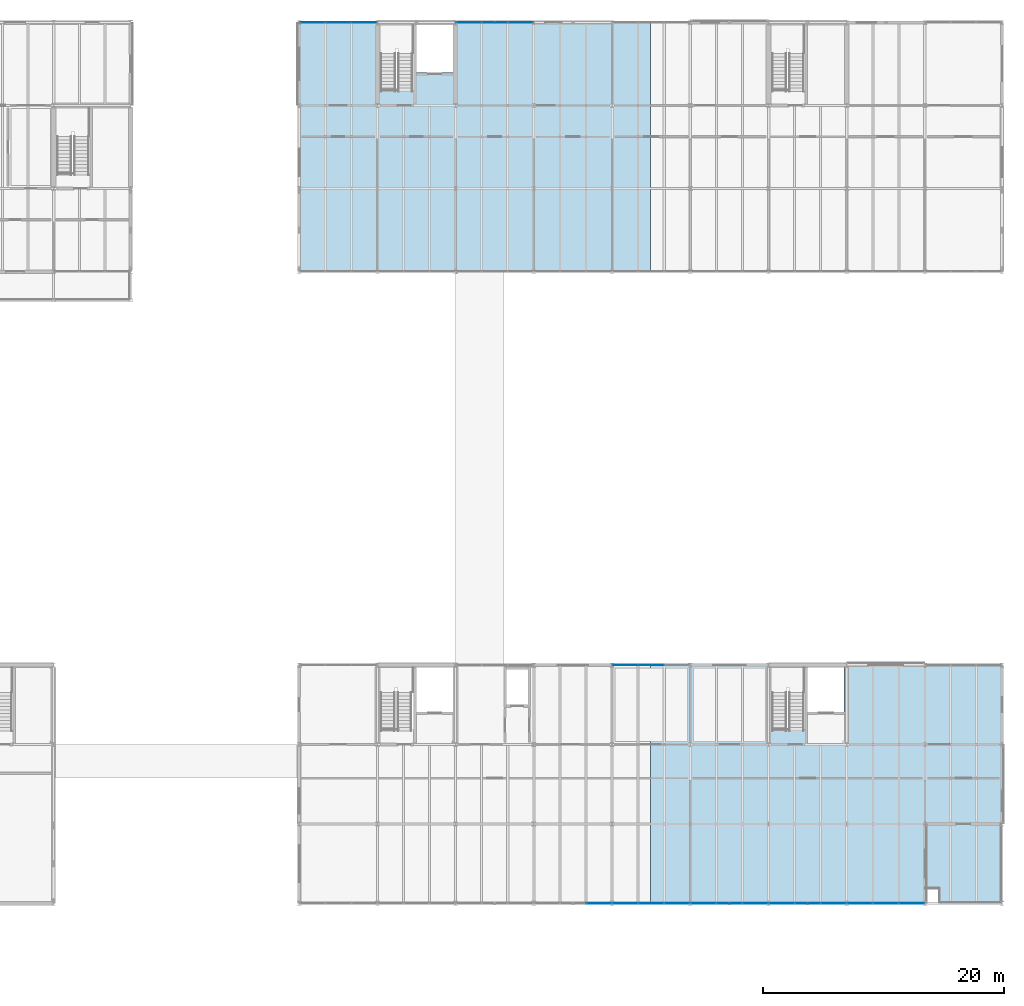
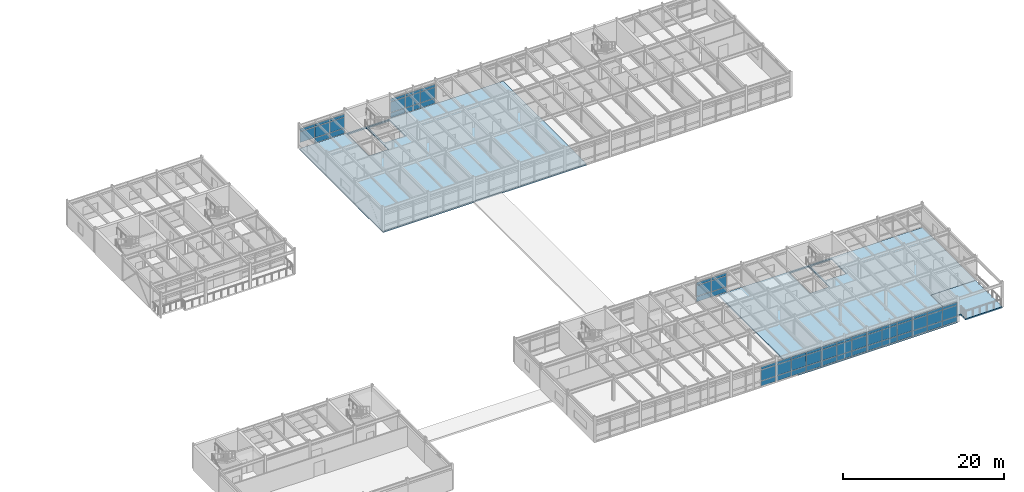
# One storey, part 31 of 49: 62 plates, 3 slabs, 8 elements without a shape of their own.
"""IFC4 building model written with IfcOpenShell, lengths in metres."""

from ifc_helpers import new_model, si_unit, direction, frame, origin, origin_2d, place, context, subcontext, project, spatial, polyline, rectangle, outline, extrude, material, layer, layer_set, type_object, element, aggregate, save


model = new_model("IFC4")

# Units and contexts
model_context = context("Model", 3, precision=1e-05, world=origin(), true_north=direction((0.0, 1.0)))
body_context = subcontext(model_context, "Body", "Model", "MODEL_VIEW")
ifc_project = project(units=[si_unit("LENGTHUNIT", "METRE"), si_unit("AREAUNIT", "SQUARE_METRE"), si_unit("VOLUMEUNIT", "CUBIC_METRE"), si_unit("PLANEANGLEUNIT", "RADIAN"), si_unit("MASSUNIT", "GRAM", prefix="KILO")], contexts=[model_context])

# Site, building, storey
site_placement = place(None, origin())
site = spatial("IfcSite", under=ifc_project, at=site_placement, CompositionType="ELEMENT")
building_placement = place(site_placement, origin())
building = spatial("IfcBuilding", under=site, at=building_placement, Name="Trelmorton Wharf Fire Station", CompositionType="ELEMENT")
storey_placement = place(building_placement, frame((0.0, 0.0, 9.60009765625)))
storey = spatial("IfcBuildingStorey", under=building, at=storey_placement, Name="L02", CompositionType="ELEMENT", Elevation=9.60009765625)

# Curtain wall, plates
ifc_material_1 = material(Name="Anodised aluminium AW-6063", Category="aluminium")
ifc_layer_1 = layer(ifc_material_1, 0.175048828125)
ifc_layer_set_1 = layer_set([ifc_layer_1], Name="Anodised aluminium AW-6063")
curtain_wall_type_1 = type_object("IfcCurtainWallType", Name="CW_CHIC_B", PredefinedType="USERDEFINED", material=ifc_layer_set_1)
curtain_wall_1_placement = place(storey_placement, origin())
curtain_wall_1 = element("IfcCurtainWall", 1, at=curtain_wall_1_placement, inside=storey, type_object=curtain_wall_type_1, Name="CW-V5-L02-052", ObjectType="CHICAGO BAY CURTAIN WALL", PredefinedType="USERDEFINED")
ifc_material_2 = material(Name="Tempered low-E double glazing", Category="glass")
ifc_layer_2 = layer(ifc_material_2, 0.028076171875)
ifc_layer_set_2 = layer_set([ifc_layer_2], Name="Tempered low-E double glazing")
plate_type_1 = type_object("IfcPlateType", Name="CWP_GLAZ_28", PredefinedType="CURTAIN_PANEL", material=ifc_layer_set_2)
plate_1_placement = place(storey_placement, frame((128.8984375, 7.800048828125, 0.06005859375), z_axis=(0.0, 0.0, 1.0), x_axis=(-1.0, 0.0, 0.0)))
plate_1 = element("IfcPlate", 2, at=plate_1_placement, type_object=plate_type_1, Name="CW2 panel 1.1", PredefinedType="CURTAIN_PANEL", context=body_context, shape_type="SweptSolid", body=[
    extrude(rectangle(XDim=2.0732421875, YDim=0.028076171875, at=origin_2d()), origin(), (0.0, 0.0, 1.0), 0.760009765625),
])
plate_2_placement = place(storey_placement, frame((128.8984375, 7.800048828125, 0.8798828125), z_axis=(0.0, 0.0, 1.0), x_axis=(-1.0, 0.0, 0.0)))
plate_2 = element("IfcPlate", 3, at=plate_2_placement, type_object=plate_type_1, Name="CW2 panel 1.2", PredefinedType="CURTAIN_PANEL", context=body_context, shape_type="SweptSolid", body=[
    extrude(rectangle(XDim=2.0732421875, YDim=0.028076171875, at=origin_2d()), origin(), (0.0, 0.0, 1.0), 1.610107421875),
])
plate_3_placement = place(storey_placement, frame((128.8984375, 7.800048828125, 2.5498046875), z_axis=(0.0, 0.0, 1.0), x_axis=(-1.0, 0.0, 0.0)))
plate_3 = element("IfcPlate", 4, at=plate_3_placement, type_object=plate_type_1, Name="CW2 panel 1.3", PredefinedType="CURTAIN_PANEL", context=body_context, shape_type="SweptSolid", body=[
    extrude(rectangle(XDim=2.0732421875, YDim=0.028076171875, at=origin_2d()), origin(), (0.0, 0.0, 1.0), 0.409912109375),
])
aggregate(curtain_wall_1, [plate_1, plate_2, plate_3])

ifc_layer_3 = layer(ifc_material_1, 0.159912109375)
ifc_layer_set_3 = layer_set([ifc_layer_3], Name="Anodised aluminium AW-6063")
curtain_wall_type_2 = type_object("IfcCurtainWallType", Name="CW_CHIC_A", PredefinedType="USERDEFINED", material=ifc_layer_set_3)
curtain_wall_2_placement = place(storey_placement, origin())
curtain_wall_2 = element("IfcCurtainWall", 5, at=curtain_wall_2_placement, inside=storey, type_object=curtain_wall_type_2, Name="CW-V5-L02-053", ObjectType="CHICAGO BAY CURTAIN WALL", PredefinedType="USERDEFINED")
plate_4_placement = place(storey_placement, frame((135.3984375, 7.800048828125, 0.06005859375), z_axis=(0.0, 0.0, 1.0), x_axis=(-1.0, 0.0, 0.0)))
plate_4 = element("IfcPlate", 6, at=plate_4_placement, type_object=plate_type_1, Name="CW1 panel 1.1", PredefinedType="CURTAIN_PANEL", context=body_context, shape_type="SweptSolid", body=[
    extrude(rectangle(XDim=2.0732421875, YDim=0.028076171875, at=origin_2d()), origin(), (0.0, 0.0, 1.0), 0.760009765625),
])
plate_5_placement = place(storey_placement, frame((135.3984375, 7.800048828125, 0.8798828125), z_axis=(0.0, 0.0, 1.0), x_axis=(-1.0, 0.0, 0.0)))
plate_5 = element("IfcPlate", 7, at=plate_5_placement, type_object=plate_type_1, Name="CW1 panel 1.2", PredefinedType="CURTAIN_PANEL", context=body_context, shape_type="SweptSolid", body=[
    extrude(rectangle(XDim=2.0732421875, YDim=0.028076171875, at=origin_2d()), origin(), (0.0, 0.0, 1.0), 1.610107421875),
])
plate_6_placement = place(storey_placement, frame((135.3984375, 7.800048828125, 2.5498046875), z_axis=(0.0, 0.0, 1.0), x_axis=(-1.0, 0.0, 0.0)))
plate_6 = element("IfcPlate", 8, at=plate_6_placement, type_object=plate_type_1, Name="CW1 panel 1.3", PredefinedType="CURTAIN_PANEL", context=body_context, shape_type="SweptSolid", body=[
    extrude(rectangle(XDim=2.0732421875, YDim=0.028076171875, at=origin_2d()), origin(), (0.0, 0.0, 1.0), 0.409912109375),
])
plate_7_placement = place(storey_placement, frame((133.25, 7.800048828125, 0.06005859375), z_axis=(0.0, 0.0, 1.0), x_axis=(-1.0, 0.0, 0.0)))
plate_7 = element("IfcPlate", 9, at=plate_7_placement, type_object=plate_type_1, Name="CW1 panel 2.1", PredefinedType="CURTAIN_PANEL", context=body_context, shape_type="SweptSolid", body=[
    extrude(rectangle(XDim=2.103271484375, YDim=0.028076171875, at=origin_2d()), origin(), (0.0, 0.0, 1.0), 0.760009765625),
])
plate_8_placement = place(storey_placement, frame((133.25, 7.800048828125, 0.8798828125), z_axis=(0.0, 0.0, 1.0), x_axis=(-1.0, 0.0, 0.0)))
plate_8 = element("IfcPlate", 10, at=plate_8_placement, type_object=plate_type_1, Name="CW1 panel 2.2", PredefinedType="CURTAIN_PANEL", context=body_context, shape_type="SweptSolid", body=[
    extrude(rectangle(XDim=2.103271484375, YDim=0.028076171875, at=origin_2d()), origin(), (0.0, 0.0, 1.0), 1.610107421875),
])
plate_9_placement = place(storey_placement, frame((133.25, 7.800048828125, 2.5498046875), z_axis=(0.0, 0.0, 1.0), x_axis=(-1.0, 0.0, 0.0)))
plate_9 = element("IfcPlate", 11, at=plate_9_placement, type_object=plate_type_1, Name="CW1 panel 2.3", PredefinedType="CURTAIN_PANEL", context=body_context, shape_type="SweptSolid", body=[
    extrude(rectangle(XDim=2.103271484375, YDim=0.028076171875, at=origin_2d()), origin(), (0.0, 0.0, 1.0), 0.409912109375),
])
plate_10_placement = place(storey_placement, frame((131.1015625, 7.800048828125, 0.06005859375), z_axis=(0.0, 0.0, 1.0), x_axis=(-1.0, 0.0, 0.0)))
plate_10 = element("IfcPlate", 12, at=plate_10_placement, type_object=plate_type_1, Name="CW1 panel 3.1", PredefinedType="CURTAIN_PANEL", context=body_context, shape_type="SweptSolid", body=[
    extrude(rectangle(XDim=2.0732421875, YDim=0.028076171875, at=origin_2d()), origin(), (0.0, 0.0, 1.0), 0.760009765625),
])
plate_11_placement = place(storey_placement, frame((131.1015625, 7.800048828125, 0.8798828125), z_axis=(0.0, 0.0, 1.0), x_axis=(-1.0, 0.0, 0.0)))
plate_11 = element("IfcPlate", 13, at=plate_11_placement, type_object=plate_type_1, Name="CW1 panel 3.2", PredefinedType="CURTAIN_PANEL", context=body_context, shape_type="SweptSolid", body=[
    extrude(rectangle(XDim=2.0732421875, YDim=0.028076171875, at=origin_2d()), origin(), (0.0, 0.0, 1.0), 1.610107421875),
])
plate_12_placement = place(storey_placement, frame((131.1015625, 7.800048828125, 2.5498046875), z_axis=(0.0, 0.0, 1.0), x_axis=(-1.0, 0.0, 0.0)))
plate_12 = element("IfcPlate", 14, at=plate_12_placement, type_object=plate_type_1, Name="CW1 panel 3.3", PredefinedType="CURTAIN_PANEL", context=body_context, shape_type="SweptSolid", body=[
    extrude(rectangle(XDim=2.0732421875, YDim=0.028076171875, at=origin_2d()), origin(), (0.0, 0.0, 1.0), 0.409912109375),
])
aggregate(curtain_wall_2, [plate_4, plate_5, plate_6, plate_7, plate_8, plate_9, plate_10, plate_11, plate_12])

curtain_wall_3_placement = place(storey_placement, origin())
curtain_wall_3 = element("IfcCurtainWall", 15, at=curtain_wall_3_placement, inside=storey, type_object=curtain_wall_type_2, Name="CW-V5-L02-055", ObjectType="CHICAGO BAY CURTAIN WALL", PredefinedType="USERDEFINED")
plate_13_placement = place(storey_placement, frame((148.3984375, 7.800048828125, 0.06005859375), z_axis=(0.0, 0.0, 1.0), x_axis=(-1.0, 0.0, 0.0)))
plate_13 = element("IfcPlate", 16, at=plate_13_placement, type_object=plate_type_1, Name="CW1 panel 1.1", PredefinedType="CURTAIN_PANEL", context=body_context, shape_type="SweptSolid", body=[
    extrude(rectangle(XDim=2.0732421875, YDim=0.028076171875, at=origin_2d()), origin(), (0.0, 0.0, 1.0), 0.760009765625),
])
plate_14_placement = place(storey_placement, frame((148.3984375, 7.800048828125, 0.8798828125), z_axis=(0.0, 0.0, 1.0), x_axis=(-1.0, 0.0, 0.0)))
plate_14 = element("IfcPlate", 17, at=plate_14_placement, type_object=plate_type_1, Name="CW1 panel 1.2", PredefinedType="CURTAIN_PANEL", context=body_context, shape_type="SweptSolid", body=[
    extrude(rectangle(XDim=2.0732421875, YDim=0.028076171875, at=origin_2d()), origin(), (0.0, 0.0, 1.0), 1.610107421875),
])
plate_15_placement = place(storey_placement, frame((148.3984375, 7.800048828125, 2.5498046875), z_axis=(0.0, 0.0, 1.0), x_axis=(-1.0, 0.0, 0.0)))
plate_15 = element("IfcPlate", 18, at=plate_15_placement, type_object=plate_type_1, Name="CW1 panel 1.3", PredefinedType="CURTAIN_PANEL", context=body_context, shape_type="SweptSolid", body=[
    extrude(rectangle(XDim=2.0732421875, YDim=0.028076171875, at=origin_2d()), origin(), (0.0, 0.0, 1.0), 0.409912109375),
])
plate_16_placement = place(storey_placement, frame((146.25, 7.800048828125, 0.06005859375), z_axis=(0.0, 0.0, 1.0), x_axis=(-1.0, 0.0, 0.0)))
plate_16 = element("IfcPlate", 19, at=plate_16_placement, type_object=plate_type_1, Name="CW1 panel 2.1", PredefinedType="CURTAIN_PANEL", context=body_context, shape_type="SweptSolid", body=[
    extrude(rectangle(XDim=2.103271484375, YDim=0.028076171875, at=origin_2d()), origin(), (0.0, 0.0, 1.0), 0.760009765625),
])
plate_17_placement = place(storey_placement, frame((146.25, 7.800048828125, 0.8798828125), z_axis=(0.0, 0.0, 1.0), x_axis=(-1.0, 0.0, 0.0)))
plate_17 = element("IfcPlate", 20, at=plate_17_placement, type_object=plate_type_1, Name="CW1 panel 2.2", PredefinedType="CURTAIN_PANEL", context=body_context, shape_type="SweptSolid", body=[
    extrude(rectangle(XDim=2.103271484375, YDim=0.028076171875, at=origin_2d()), origin(), (0.0, 0.0, 1.0), 1.610107421875),
])
plate_18_placement = place(storey_placement, frame((146.25, 7.800048828125, 2.5498046875), z_axis=(0.0, 0.0, 1.0), x_axis=(-1.0, 0.0, 0.0)))
plate_18 = element("IfcPlate", 21, at=plate_18_placement, type_object=plate_type_1, Name="CW1 panel 2.3", PredefinedType="CURTAIN_PANEL", context=body_context, shape_type="SweptSolid", body=[
    extrude(rectangle(XDim=2.103271484375, YDim=0.028076171875, at=origin_2d()), origin(), (0.0, 0.0, 1.0), 0.409912109375),
])
plate_19_placement = place(storey_placement, frame((144.1015625, 7.800048828125, 0.06005859375), z_axis=(0.0, 0.0, 1.0), x_axis=(-1.0, 0.0, 0.0)))
plate_19 = element("IfcPlate", 22, at=plate_19_placement, type_object=plate_type_1, Name="CW1 panel 3.1", PredefinedType="CURTAIN_PANEL", context=body_context, shape_type="SweptSolid", body=[
    extrude(rectangle(XDim=2.0732421875, YDim=0.028076171875, at=origin_2d()), origin(), (0.0, 0.0, 1.0), 0.760009765625),
])
plate_20_placement = place(storey_placement, frame((144.1015625, 7.800048828125, 0.8798828125), z_axis=(0.0, 0.0, 1.0), x_axis=(-1.0, 0.0, 0.0)))
plate_20 = element("IfcPlate", 23, at=plate_20_placement, type_object=plate_type_1, Name="CW1 panel 3.2", PredefinedType="CURTAIN_PANEL", context=body_context, shape_type="SweptSolid", body=[
    extrude(rectangle(XDim=2.0732421875, YDim=0.028076171875, at=origin_2d()), origin(), (0.0, 0.0, 1.0), 1.610107421875),
])
plate_21_placement = place(storey_placement, frame((144.1015625, 7.800048828125, 2.5498046875), z_axis=(0.0, 0.0, 1.0), x_axis=(-1.0, 0.0, 0.0)))
plate_21 = element("IfcPlate", 24, at=plate_21_placement, type_object=plate_type_1, Name="CW1 panel 3.3", PredefinedType="CURTAIN_PANEL", context=body_context, shape_type="SweptSolid", body=[
    extrude(rectangle(XDim=2.0732421875, YDim=0.028076171875, at=origin_2d()), origin(), (0.0, 0.0, 1.0), 0.409912109375),
])
aggregate(curtain_wall_3, [plate_13, plate_14, plate_15, plate_16, plate_17, plate_18, plate_19, plate_20, plate_21])

curtain_wall_4_placement = place(storey_placement, origin())
curtain_wall_4 = element("IfcCurtainWall", 25, at=curtain_wall_4_placement, inside=storey, type_object=curtain_wall_type_1, Name="CW-V5-L02-056", ObjectType="CHICAGO BAY CURTAIN WALL", PredefinedType="USERDEFINED")
plate_22_placement = place(storey_placement, frame((154.8984375, 7.800048828125, 0.06005859375), z_axis=(0.0, 0.0, 1.0), x_axis=(-1.0, 0.0, 0.0)))
plate_22 = element("IfcPlate", 26, at=plate_22_placement, type_object=plate_type_1, Name="CW2 panel 1.1", PredefinedType="CURTAIN_PANEL", context=body_context, shape_type="SweptSolid", body=[
    extrude(rectangle(XDim=2.0732421875, YDim=0.028076171875, at=origin_2d()), origin(), (0.0, 0.0, 1.0), 0.760009765625),
])
plate_23_placement = place(storey_placement, frame((154.8984375, 7.800048828125, 0.8798828125), z_axis=(0.0, 0.0, 1.0), x_axis=(-1.0, 0.0, 0.0)))
plate_23 = element("IfcPlate", 27, at=plate_23_placement, type_object=plate_type_1, Name="CW2 panel 1.2", PredefinedType="CURTAIN_PANEL", context=body_context, shape_type="SweptSolid", body=[
    extrude(rectangle(XDim=2.0732421875, YDim=0.028076171875, at=origin_2d()), origin(), (0.0, 0.0, 1.0), 1.610107421875),
])
plate_24_placement = place(storey_placement, frame((154.8984375, 7.800048828125, 2.5498046875), z_axis=(0.0, 0.0, 1.0), x_axis=(-1.0, 0.0, 0.0)))
plate_24 = element("IfcPlate", 28, at=plate_24_placement, type_object=plate_type_1, Name="CW2 panel 1.3", PredefinedType="CURTAIN_PANEL", context=body_context, shape_type="SweptSolid", body=[
    extrude(rectangle(XDim=2.0732421875, YDim=0.028076171875, at=origin_2d()), origin(), (0.0, 0.0, 1.0), 0.409912109375),
])
plate_25_placement = place(storey_placement, frame((152.75, 7.800048828125, 0.06005859375), z_axis=(0.0, 0.0, 1.0), x_axis=(-1.0, 0.0, 0.0)))
plate_25 = element("IfcPlate", 29, at=plate_25_placement, type_object=plate_type_1, Name="CW2 panel 2.1", PredefinedType="CURTAIN_PANEL", context=body_context, shape_type="SweptSolid", body=[
    extrude(rectangle(XDim=2.103271484375, YDim=0.028076171875, at=origin_2d()), origin(), (0.0, 0.0, 1.0), 0.760009765625),
])
plate_26_placement = place(storey_placement, frame((152.75, 7.800048828125, 0.8798828125), z_axis=(0.0, 0.0, 1.0), x_axis=(-1.0, 0.0, 0.0)))
plate_26 = element("IfcPlate", 30, at=plate_26_placement, type_object=plate_type_1, Name="CW2 panel 2.2", PredefinedType="CURTAIN_PANEL", context=body_context, shape_type="SweptSolid", body=[
    extrude(rectangle(XDim=2.103271484375, YDim=0.028076171875, at=origin_2d()), origin(), (0.0, 0.0, 1.0), 1.610107421875),
])
plate_27_placement = place(storey_placement, frame((152.75, 7.800048828125, 2.5498046875), z_axis=(0.0, 0.0, 1.0), x_axis=(-1.0, 0.0, 0.0)))
plate_27 = element("IfcPlate", 31, at=plate_27_placement, type_object=plate_type_1, Name="CW2 panel 2.3", PredefinedType="CURTAIN_PANEL", context=body_context, shape_type="SweptSolid", body=[
    extrude(rectangle(XDim=2.103271484375, YDim=0.028076171875, at=origin_2d()), origin(), (0.0, 0.0, 1.0), 0.409912109375),
])
plate_28_placement = place(storey_placement, frame((150.6015625, 7.800048828125, 0.06005859375), z_axis=(0.0, 0.0, 1.0), x_axis=(-1.0, 0.0, 0.0)))
plate_28 = element("IfcPlate", 32, at=plate_28_placement, type_object=plate_type_1, Name="CW2 panel 3.1", PredefinedType="CURTAIN_PANEL", context=body_context, shape_type="SweptSolid", body=[
    extrude(rectangle(XDim=2.0732421875, YDim=0.028076171875, at=origin_2d()), origin(), (0.0, 0.0, 1.0), 0.760009765625),
])
plate_29_placement = place(storey_placement, frame((150.6015625, 7.800048828125, 0.8798828125), z_axis=(0.0, 0.0, 1.0), x_axis=(-1.0, 0.0, 0.0)))
plate_29 = element("IfcPlate", 33, at=plate_29_placement, type_object=plate_type_1, Name="CW2 panel 3.2", PredefinedType="CURTAIN_PANEL", context=body_context, shape_type="SweptSolid", body=[
    extrude(rectangle(XDim=2.0732421875, YDim=0.028076171875, at=origin_2d()), origin(), (0.0, 0.0, 1.0), 1.610107421875),
])
plate_30_placement = place(storey_placement, frame((150.6015625, 7.800048828125, 2.5498046875), z_axis=(0.0, 0.0, 1.0), x_axis=(-1.0, 0.0, 0.0)))
plate_30 = element("IfcPlate", 34, at=plate_30_placement, type_object=plate_type_1, Name="CW2 panel 3.3", PredefinedType="CURTAIN_PANEL", context=body_context, shape_type="SweptSolid", body=[
    extrude(rectangle(XDim=2.0732421875, YDim=0.028076171875, at=origin_2d()), origin(), (0.0, 0.0, 1.0), 0.409912109375),
])
aggregate(curtain_wall_4, [plate_22, plate_23, plate_24, plate_25, plate_26, plate_27, plate_28, plate_29, plate_30])

ifc_layer_4 = layer(ifc_material_1, 0.14990234375)
ifc_layer_set_4 = layer_set([ifc_layer_4], Name="Anodised aluminium AW-6063")
curtain_wall_type_3 = type_object("IfcCurtainWallType", Name="CW_UNIT_A", PredefinedType="USERDEFINED", material=ifc_layer_set_4)
curtain_wall_5_placement = place(storey_placement, origin())
curtain_wall_5 = element("IfcCurtainWall", 35, at=curtain_wall_5_placement, inside=storey, type_object=curtain_wall_type_3, Name="CW-V5-L02-059", ObjectType="UNITISED CURTAIN WALL", PredefinedType="USERDEFINED")
plate_31_placement = place(storey_placement, frame((131.1015625, 27.60009765625, 0.06005859375), z_axis=(0.0, 0.0, 1.0), x_axis=(1.0, 0.0, 0.0)))
plate_31 = element("IfcPlate", 36, at=plate_31_placement, type_object=plate_type_1, Name="CW3 panel 1.1", PredefinedType="CURTAIN_PANEL", context=body_context, shape_type="SweptSolid", body=[
    extrude(rectangle(XDim=2.0732421875, YDim=0.028076171875, at=origin_2d()), origin(), (0.0, 0.0, 1.0), 0.760009765625),
])
plate_32_placement = place(storey_placement, frame((131.1015625, 27.60009765625, 0.8798828125), z_axis=(0.0, 0.0, 1.0), x_axis=(1.0, 0.0, 0.0)))
plate_32 = element("IfcPlate", 37, at=plate_32_placement, type_object=plate_type_1, Name="CW3 panel 1.2", PredefinedType="CURTAIN_PANEL", context=body_context, shape_type="SweptSolid", body=[
    extrude(rectangle(XDim=2.0732421875, YDim=0.028076171875, at=origin_2d()), origin(), (0.0, 0.0, 1.0), 1.610107421875),
])
plate_33_placement = place(storey_placement, frame((131.1015625, 27.60009765625, 2.5498046875), z_axis=(0.0, 0.0, 1.0), x_axis=(1.0, 0.0, 0.0)))
plate_33 = element("IfcPlate", 38, at=plate_33_placement, type_object=plate_type_1, Name="CW3 panel 1.3", PredefinedType="CURTAIN_PANEL", context=body_context, shape_type="SweptSolid", body=[
    extrude(rectangle(XDim=2.0732421875, YDim=0.028076171875, at=origin_2d()), origin(), (0.0, 0.0, 1.0), 0.409912109375),
])
plate_34_placement = place(storey_placement, frame((133.25, 27.60009765625, 0.06005859375), z_axis=(0.0, 0.0, 1.0), x_axis=(1.0, 0.0, 0.0)))
plate_34 = element("IfcPlate", 39, at=plate_34_placement, type_object=plate_type_1, Name="CW3 panel 2.1", PredefinedType="CURTAIN_PANEL", context=body_context, shape_type="SweptSolid", body=[
    extrude(rectangle(XDim=2.103271484375, YDim=0.028076171875, at=origin_2d()), origin(), (0.0, 0.0, 1.0), 0.760009765625),
])
plate_35_placement = place(storey_placement, frame((133.25, 27.60009765625, 0.8798828125), z_axis=(0.0, 0.0, 1.0), x_axis=(1.0, 0.0, 0.0)))
plate_35 = element("IfcPlate", 40, at=plate_35_placement, type_object=plate_type_1, Name="CW3 panel 2.2", PredefinedType="CURTAIN_PANEL", context=body_context, shape_type="SweptSolid", body=[
    extrude(rectangle(XDim=2.103271484375, YDim=0.028076171875, at=origin_2d()), origin(), (0.0, 0.0, 1.0), 1.610107421875),
])
plate_36_placement = place(storey_placement, frame((133.25, 27.60009765625, 2.5498046875), z_axis=(0.0, 0.0, 1.0), x_axis=(1.0, 0.0, 0.0)))
plate_36 = element("IfcPlate", 41, at=plate_36_placement, type_object=plate_type_1, Name="CW3 panel 2.3", PredefinedType="CURTAIN_PANEL", context=body_context, shape_type="SweptSolid", body=[
    extrude(rectangle(XDim=2.103271484375, YDim=0.028076171875, at=origin_2d()), origin(), (0.0, 0.0, 1.0), 0.409912109375),
])
aggregate(curtain_wall_5, [plate_31, plate_32, plate_33, plate_34, plate_35, plate_36])

curtain_wall_6_placement = place(storey_placement, origin())
curtain_wall_6 = element("IfcCurtainWall", 42, at=curtain_wall_6_placement, inside=storey, type_object=curtain_wall_type_3, Name="CW-V4-L02-139", ObjectType="UNITISED CURTAIN WALL", PredefinedType="USERDEFINED")
plate_37_placement = place(storey_placement, frame((105.1015625, 81.0, 0.8798828125), z_axis=(0.0, 0.0, 1.0), x_axis=(1.0, 0.0, 0.0)))
plate_37 = element("IfcPlate", 43, at=plate_37_placement, type_object=plate_type_1, Name="CW3 panel 1.2", PredefinedType="CURTAIN_PANEL", context=body_context, shape_type="SweptSolid", body=[
    extrude(rectangle(XDim=2.0732421875, YDim=0.028076171875, at=origin_2d()), origin(), (0.0, 0.0, 1.0), 1.610107421875),
])
plate_38_placement = place(storey_placement, frame((105.1015625, 81.0, 2.5498046875), z_axis=(0.0, 0.0, 1.0), x_axis=(1.0, 0.0, 0.0)))
plate_38 = element("IfcPlate", 44, at=plate_38_placement, type_object=plate_type_1, Name="CW3 panel 1.3", PredefinedType="CURTAIN_PANEL", context=body_context, shape_type="SweptSolid", body=[
    extrude(rectangle(XDim=2.0732421875, YDim=0.028076171875, at=origin_2d()), origin(), (0.0, 0.0, 1.0), 0.409912109375),
])
plate_39_placement = place(storey_placement, frame((107.25, 81.0, 0.06005859375), z_axis=(0.0, 0.0, 1.0), x_axis=(1.0, 0.0, 0.0)))
plate_39 = element("IfcPlate", 45, at=plate_39_placement, type_object=plate_type_1, Name="CW3 panel 2.1", PredefinedType="CURTAIN_PANEL", context=body_context, shape_type="SweptSolid", body=[
    extrude(rectangle(XDim=2.103271484375, YDim=0.028076171875, at=origin_2d()), origin(), (0.0, 0.0, 1.0), 0.760009765625),
])
plate_40_placement = place(storey_placement, frame((107.25, 81.0, 0.8798828125), z_axis=(0.0, 0.0, 1.0), x_axis=(1.0, 0.0, 0.0)))
plate_40 = element("IfcPlate", 46, at=plate_40_placement, type_object=plate_type_1, Name="CW3 panel 2.2", PredefinedType="CURTAIN_PANEL", context=body_context, shape_type="SweptSolid", body=[
    extrude(rectangle(XDim=2.103271484375, YDim=0.028076171875, at=origin_2d()), origin(), (0.0, 0.0, 1.0), 1.610107421875),
])
plate_41_placement = place(storey_placement, frame((107.25, 81.0, 2.5498046875), z_axis=(0.0, 0.0, 1.0), x_axis=(1.0, 0.0, 0.0)))
plate_41 = element("IfcPlate", 47, at=plate_41_placement, type_object=plate_type_1, Name="CW3 panel 2.3", PredefinedType="CURTAIN_PANEL", context=body_context, shape_type="SweptSolid", body=[
    extrude(rectangle(XDim=2.103271484375, YDim=0.028076171875, at=origin_2d()), origin(), (0.0, 0.0, 1.0), 0.409912109375),
])
plate_42_placement = place(storey_placement, frame((109.3984375, 81.0, 0.06005859375), z_axis=(0.0, 0.0, 1.0), x_axis=(1.0, 0.0, 0.0)))
plate_42 = element("IfcPlate", 48, at=plate_42_placement, type_object=plate_type_1, Name="CW3 panel 3.1", PredefinedType="CURTAIN_PANEL", context=body_context, shape_type="SweptSolid", body=[
    extrude(rectangle(XDim=2.0732421875, YDim=0.028076171875, at=origin_2d()), origin(), (0.0, 0.0, 1.0), 0.760009765625),
])
plate_43_placement = place(storey_placement, frame((109.3984375, 81.0, 0.8798828125), z_axis=(0.0, 0.0, 1.0), x_axis=(1.0, 0.0, 0.0)))
plate_43 = element("IfcPlate", 49, at=plate_43_placement, type_object=plate_type_1, Name="CW3 panel 3.2", PredefinedType="CURTAIN_PANEL", context=body_context, shape_type="SweptSolid", body=[
    extrude(rectangle(XDim=2.0732421875, YDim=0.028076171875, at=origin_2d()), origin(), (0.0, 0.0, 1.0), 1.610107421875),
])
plate_44_placement = place(storey_placement, frame((109.3984375, 81.0, 2.5498046875), z_axis=(0.0, 0.0, 1.0), x_axis=(1.0, 0.0, 0.0)))
plate_44 = element("IfcPlate", 50, at=plate_44_placement, type_object=plate_type_1, Name="CW3 panel 3.3", PredefinedType="CURTAIN_PANEL", context=body_context, shape_type="SweptSolid", body=[
    extrude(rectangle(XDim=2.0732421875, YDim=0.028076171875, at=origin_2d()), origin(), (0.0, 0.0, 1.0), 0.409912109375),
])
aggregate(curtain_wall_6, [plate_37, plate_38, plate_39, plate_40, plate_41, plate_42, plate_43, plate_44])

curtain_wall_7_placement = place(storey_placement, origin())
curtain_wall_7 = element("IfcCurtainWall", 51, at=curtain_wall_7_placement, inside=storey, type_object=curtain_wall_type_3, Name="CW-V4-L02-140", ObjectType="UNITISED CURTAIN WALL", PredefinedType="USERDEFINED")
plate_45_placement = place(storey_placement, frame((118.1015625, 81.0, 0.06005859375), z_axis=(0.0, 0.0, 1.0), x_axis=(1.0, 0.0, 0.0)))
plate_45 = element("IfcPlate", 52, at=plate_45_placement, type_object=plate_type_1, Name="CW3 panel 1.1", PredefinedType="CURTAIN_PANEL", context=body_context, shape_type="SweptSolid", body=[
    extrude(rectangle(XDim=2.0732421875, YDim=0.028076171875, at=origin_2d()), origin(), (0.0, 0.0, 1.0), 0.760009765625),
])
plate_46_placement = place(storey_placement, frame((118.1015625, 81.0, 0.8798828125), z_axis=(0.0, 0.0, 1.0), x_axis=(1.0, 0.0, 0.0)))
plate_46 = element("IfcPlate", 53, at=plate_46_placement, type_object=plate_type_1, Name="CW3 panel 1.2", PredefinedType="CURTAIN_PANEL", context=body_context, shape_type="SweptSolid", body=[
    extrude(rectangle(XDim=2.0732421875, YDim=0.028076171875, at=origin_2d()), origin(), (0.0, 0.0, 1.0), 1.610107421875),
])
plate_47_placement = place(storey_placement, frame((118.1015625, 81.0, 2.5498046875), z_axis=(0.0, 0.0, 1.0), x_axis=(1.0, 0.0, 0.0)))
plate_47 = element("IfcPlate", 54, at=plate_47_placement, type_object=plate_type_1, Name="CW3 panel 1.3", PredefinedType="CURTAIN_PANEL", context=body_context, shape_type="SweptSolid", body=[
    extrude(rectangle(XDim=2.0732421875, YDim=0.028076171875, at=origin_2d()), origin(), (0.0, 0.0, 1.0), 0.409912109375),
])
plate_48_placement = place(storey_placement, frame((120.25, 81.0, 0.06005859375), z_axis=(0.0, 0.0, 1.0), x_axis=(1.0, 0.0, 0.0)))
plate_48 = element("IfcPlate", 55, at=plate_48_placement, type_object=plate_type_1, Name="CW3 panel 2.1", PredefinedType="CURTAIN_PANEL", context=body_context, shape_type="SweptSolid", body=[
    extrude(rectangle(XDim=2.103271484375, YDim=0.028076171875, at=origin_2d()), origin(), (0.0, 0.0, 1.0), 0.760009765625),
])
plate_49_placement = place(storey_placement, frame((120.25, 81.0, 0.8798828125), z_axis=(0.0, 0.0, 1.0), x_axis=(1.0, 0.0, 0.0)))
plate_49 = element("IfcPlate", 56, at=plate_49_placement, type_object=plate_type_1, Name="CW3 panel 2.2", PredefinedType="CURTAIN_PANEL", context=body_context, shape_type="SweptSolid", body=[
    extrude(rectangle(XDim=2.103271484375, YDim=0.028076171875, at=origin_2d()), origin(), (0.0, 0.0, 1.0), 1.610107421875),
])
plate_50_placement = place(storey_placement, frame((120.25, 81.0, 2.5498046875), z_axis=(0.0, 0.0, 1.0), x_axis=(1.0, 0.0, 0.0)))
plate_50 = element("IfcPlate", 57, at=plate_50_placement, type_object=plate_type_1, Name="CW3 panel 2.3", PredefinedType="CURTAIN_PANEL", context=body_context, shape_type="SweptSolid", body=[
    extrude(rectangle(XDim=2.103271484375, YDim=0.028076171875, at=origin_2d()), origin(), (0.0, 0.0, 1.0), 0.409912109375),
])
plate_51_placement = place(storey_placement, frame((122.3984375, 81.0, 0.06005859375), z_axis=(0.0, 0.0, 1.0), x_axis=(1.0, 0.0, 0.0)))
plate_51 = element("IfcPlate", 58, at=plate_51_placement, type_object=plate_type_1, Name="CW3 panel 3.1", PredefinedType="CURTAIN_PANEL", context=body_context, shape_type="SweptSolid", body=[
    extrude(rectangle(XDim=2.0732421875, YDim=0.028076171875, at=origin_2d()), origin(), (0.0, 0.0, 1.0), 0.760009765625),
])
plate_52_placement = place(storey_placement, frame((122.3984375, 81.0, 0.8798828125), z_axis=(0.0, 0.0, 1.0), x_axis=(1.0, 0.0, 0.0)))
plate_52 = element("IfcPlate", 59, at=plate_52_placement, type_object=plate_type_1, Name="CW3 panel 3.2", PredefinedType="CURTAIN_PANEL", context=body_context, shape_type="SweptSolid", body=[
    extrude(rectangle(XDim=2.0732421875, YDim=0.028076171875, at=origin_2d()), origin(), (0.0, 0.0, 1.0), 1.610107421875),
])
plate_53_placement = place(storey_placement, frame((122.3984375, 81.0, 2.5498046875), z_axis=(0.0, 0.0, 1.0), x_axis=(1.0, 0.0, 0.0)))
plate_53 = element("IfcPlate", 60, at=plate_53_placement, type_object=plate_type_1, Name="CW3 panel 3.3", PredefinedType="CURTAIN_PANEL", context=body_context, shape_type="SweptSolid", body=[
    extrude(rectangle(XDim=2.0732421875, YDim=0.028076171875, at=origin_2d()), origin(), (0.0, 0.0, 1.0), 0.409912109375),
])
aggregate(curtain_wall_7, [plate_45, plate_46, plate_47, plate_48, plate_49, plate_50, plate_51, plate_52, plate_53])

curtain_wall_8_placement = place(storey_placement, origin())
curtain_wall_8 = element("IfcCurtainWall", 61, at=curtain_wall_8_placement, inside=storey, type_object=curtain_wall_type_1, Name="CW-V5-L02-054", ObjectType="CHICAGO BAY CURTAIN WALL", PredefinedType="USERDEFINED")
ifc_material_3 = material(Name="Ceramic-fritted spandrel glazing", Category="glass")
ifc_layer_5 = layer(ifc_material_3, 0.028076171875)
ifc_layer_set_5 = layer_set([ifc_layer_5], Name="Ceramic-fritted spandrel glazing")
plate_type_2 = type_object("IfcPlateType", Name="CWP_SPAN_48", PredefinedType="CURTAIN_PANEL", material=ifc_layer_set_5)
plate_54_placement = place(storey_placement, frame((141.8984375, 7.800048828125, 0.06005859375), z_axis=(0.0, 0.0, 1.0), x_axis=(-1.0, 0.0, 0.0)))
plate_54 = element("IfcPlate", 62, at=plate_54_placement, type_object=plate_type_2, Name="CW2 panel 1.1", PredefinedType="CURTAIN_PANEL", context=body_context, shape_type="SweptSolid", body=[
    extrude(rectangle(XDim=2.0732421875, YDim=0.028076171875, at=origin_2d()), origin(), (0.0, 0.0, 1.0), 0.760009765625),
])
plate_55_placement = place(storey_placement, frame((141.8984375, 7.800048828125, 0.8798828125), z_axis=(0.0, 0.0, 1.0), x_axis=(-1.0, 0.0, 0.0)))
plate_55 = element("IfcPlate", 63, at=plate_55_placement, type_object=plate_type_2, Name="CW2 panel 1.2", PredefinedType="CURTAIN_PANEL", context=body_context, shape_type="SweptSolid", body=[
    extrude(rectangle(XDim=2.0732421875, YDim=0.028076171875, at=origin_2d()), origin(), (0.0, 0.0, 1.0), 1.610107421875),
])
plate_56_placement = place(storey_placement, frame((141.8984375, 7.800048828125, 2.5498046875), z_axis=(0.0, 0.0, 1.0), x_axis=(-1.0, 0.0, 0.0)))
plate_56 = element("IfcPlate", 64, at=plate_56_placement, type_object=plate_type_2, Name="CW2 panel 1.3", PredefinedType="CURTAIN_PANEL", context=body_context, shape_type="SweptSolid", body=[
    extrude(rectangle(XDim=2.0732421875, YDim=0.028076171875, at=origin_2d()), origin(), (0.0, 0.0, 1.0), 0.409912109375),
])
plate_57_placement = place(storey_placement, frame((139.75, 7.800048828125, 0.06005859375), z_axis=(0.0, 0.0, 1.0), x_axis=(-1.0, 0.0, 0.0)))
plate_57 = element("IfcPlate", 65, at=plate_57_placement, type_object=plate_type_2, Name="CW2 panel 2.1", PredefinedType="CURTAIN_PANEL", context=body_context, shape_type="SweptSolid", body=[
    extrude(rectangle(XDim=2.103271484375, YDim=0.028076171875, at=origin_2d()), origin(), (0.0, 0.0, 1.0), 0.760009765625),
])
plate_58_placement = place(storey_placement, frame((139.75, 7.800048828125, 0.8798828125), z_axis=(0.0, 0.0, 1.0), x_axis=(-1.0, 0.0, 0.0)))
plate_58 = element("IfcPlate", 66, at=plate_58_placement, type_object=plate_type_2, Name="CW2 panel 2.2", PredefinedType="CURTAIN_PANEL", context=body_context, shape_type="SweptSolid", body=[
    extrude(rectangle(XDim=2.103271484375, YDim=0.028076171875, at=origin_2d()), origin(), (0.0, 0.0, 1.0), 1.610107421875),
])
plate_59_placement = place(storey_placement, frame((139.75, 7.800048828125, 2.5498046875), z_axis=(0.0, 0.0, 1.0), x_axis=(-1.0, 0.0, 0.0)))
plate_59 = element("IfcPlate", 67, at=plate_59_placement, type_object=plate_type_2, Name="CW2 panel 2.3", PredefinedType="CURTAIN_PANEL", context=body_context, shape_type="SweptSolid", body=[
    extrude(rectangle(XDim=2.103271484375, YDim=0.028076171875, at=origin_2d()), origin(), (0.0, 0.0, 1.0), 0.409912109375),
])
plate_60_placement = place(storey_placement, frame((137.6015625, 7.800048828125, 0.06005859375), z_axis=(0.0, 0.0, 1.0), x_axis=(-1.0, 0.0, 0.0)))
plate_60 = element("IfcPlate", 68, at=plate_60_placement, type_object=plate_type_2, Name="CW2 panel 3.1", PredefinedType="CURTAIN_PANEL", context=body_context, shape_type="SweptSolid", body=[
    extrude(rectangle(XDim=2.0732421875, YDim=0.028076171875, at=origin_2d()), origin(), (0.0, 0.0, 1.0), 0.760009765625),
])
plate_61_placement = place(storey_placement, frame((137.6015625, 7.800048828125, 0.8798828125), z_axis=(0.0, 0.0, 1.0), x_axis=(-1.0, 0.0, 0.0)))
plate_61 = element("IfcPlate", 69, at=plate_61_placement, type_object=plate_type_2, Name="CW2 panel 3.2", PredefinedType="CURTAIN_PANEL", context=body_context, shape_type="SweptSolid", body=[
    extrude(rectangle(XDim=2.0732421875, YDim=0.028076171875, at=origin_2d()), origin(), (0.0, 0.0, 1.0), 1.610107421875),
])
plate_62_placement = place(storey_placement, frame((137.6015625, 7.800048828125, 2.5498046875), z_axis=(0.0, 0.0, 1.0), x_axis=(-1.0, 0.0, 0.0)))
plate_62 = element("IfcPlate", 70, at=plate_62_placement, type_object=plate_type_2, Name="CW2 panel 3.3", PredefinedType="CURTAIN_PANEL", context=body_context, shape_type="SweptSolid", body=[
    extrude(rectangle(XDim=2.0732421875, YDim=0.028076171875, at=origin_2d()), origin(), (0.0, 0.0, 1.0), 0.409912109375),
])
aggregate(curtain_wall_8, [plate_54, plate_55, plate_56, plate_57, plate_58, plate_59, plate_60, plate_61, plate_62])

# Slabs
ifc_material_4 = material(Name="Concrete 40 MPa", Category="concrete")
ifc_layer_6 = layer(ifc_material_4, 0.199951171875)
ifc_layer_set_6 = layer_set([ifc_layer_6], Name="Concrete 40 MPa")
slab_type_1 = type_object("IfcSlabType", Name="SL_FLOOR_200", PredefinedType="FLOOR", material=ifc_layer_set_6)
slab_1_placement = place(storey_placement, frame((0.0, 0.0, -0.2001953125)))
element("IfcSlab", 71, at=slab_1_placement, inside=storey, type_object=slab_type_1, Name="SL-V5-L02-020", PredefinedType="FLOOR", context=body_context, shape_type="SweptSolid", body=[
    extrude(outline(polyline([(133.199951171875, 7.800048828125), (133.199951171875, 27.60009765625), (162.39990234375, 27.60009765625), (162.39990234375, 14.39990234375), (156.0, 14.39990234375), (156.0, 7.800048828125), (133.199951171875, 7.800048828125)]), holes=[polyline([(143.219970703125, 22.239990234375), (146.010009765625, 22.239990234375), (146.010009765625, 27.3798828125), (143.219970703125, 27.3798828125), (143.219970703125, 22.239990234375)]), polyline([(146.239990234375, 27.3798828125), (146.239990234375, 23.719970703125), (149.280029296875, 23.719970703125), (149.280029296875, 27.3798828125), (146.239990234375, 27.3798828125)])]), origin(), (0.0, 0.0, 1.0), 0.2001953125),
])
slab_2_placement = place(storey_placement, frame((0.0, 0.0, -0.2001953125)))
element("IfcSlab", 72, at=slab_2_placement, inside=storey, type_object=slab_type_1, Name="SL-V4-L02-057", PredefinedType="FLOOR", context=body_context, shape_type="SweptSolid", body=[
    extrude(outline(polyline([(104.0, 60.300048828125), (104.0, 81.0), (133.199951171875, 81.0), (133.199951171875, 60.300048828125), (104.0, 60.300048828125)]), holes=[polyline([(113.510009765625, 75.340087890625), (113.510009765625, 80.780029296875), (110.719970703125, 80.780029296875), (110.719970703125, 75.340087890625), (113.510009765625, 75.340087890625)]), polyline([(113.739990234375, 76.820068359375), (116.780029296875, 76.820068359375), (116.780029296875, 80.780029296875), (113.739990234375, 80.780029296875), (113.739990234375, 76.820068359375)])]), origin(), (0.0, 0.0, 1.0), 0.2001953125),
])
ifc_layer_7 = layer(ifc_material_4, 0.2099609375)
ifc_layer_set_7 = layer_set([ifc_layer_7], Name="Concrete 40 MPa")
slab_type_2 = type_object("IfcSlabType", Name="SL_TERRACE_210", PredefinedType="FLOOR", material=ifc_layer_set_7)
slab_3_placement = place(storey_placement, frame((0.0, 0.0, -0.210205078125)))
element("IfcSlab", 73, at=slab_3_placement, inside=storey, type_object=slab_type_2, Name="SL-EXT-V5_RECESS_SE_L02", PredefinedType="FLOOR", context=body_context, shape_type="SweptSolid", body=[
    extrude(outline(polyline([(156.0, 14.39990234375), (162.39990234375, 14.39990234375), (162.39990234375, 7.800048828125), (157.152099609375, 7.800048828125), (157.152099609375, 8.988037109375), (156.0, 8.988037109375), (156.0, 14.39990234375)])), origin(), (0.0, 0.0, 1.0), 0.210205078125),
])

save(model, "model.ifc")
